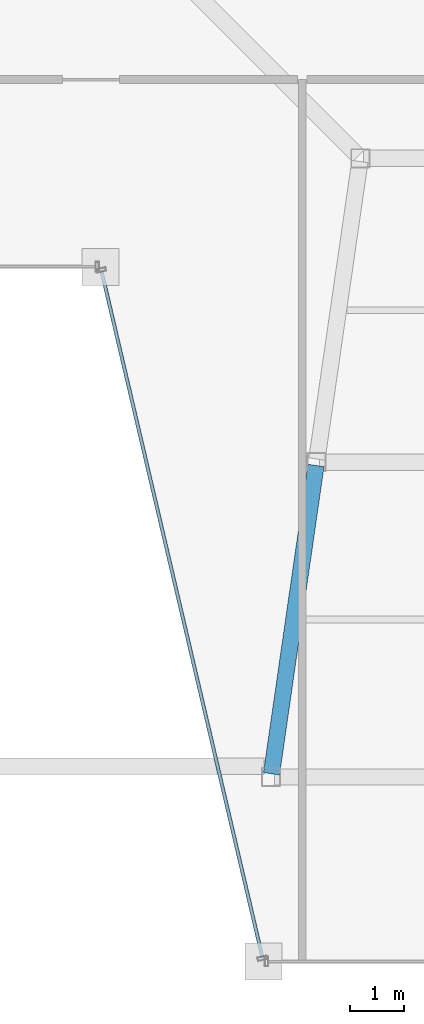
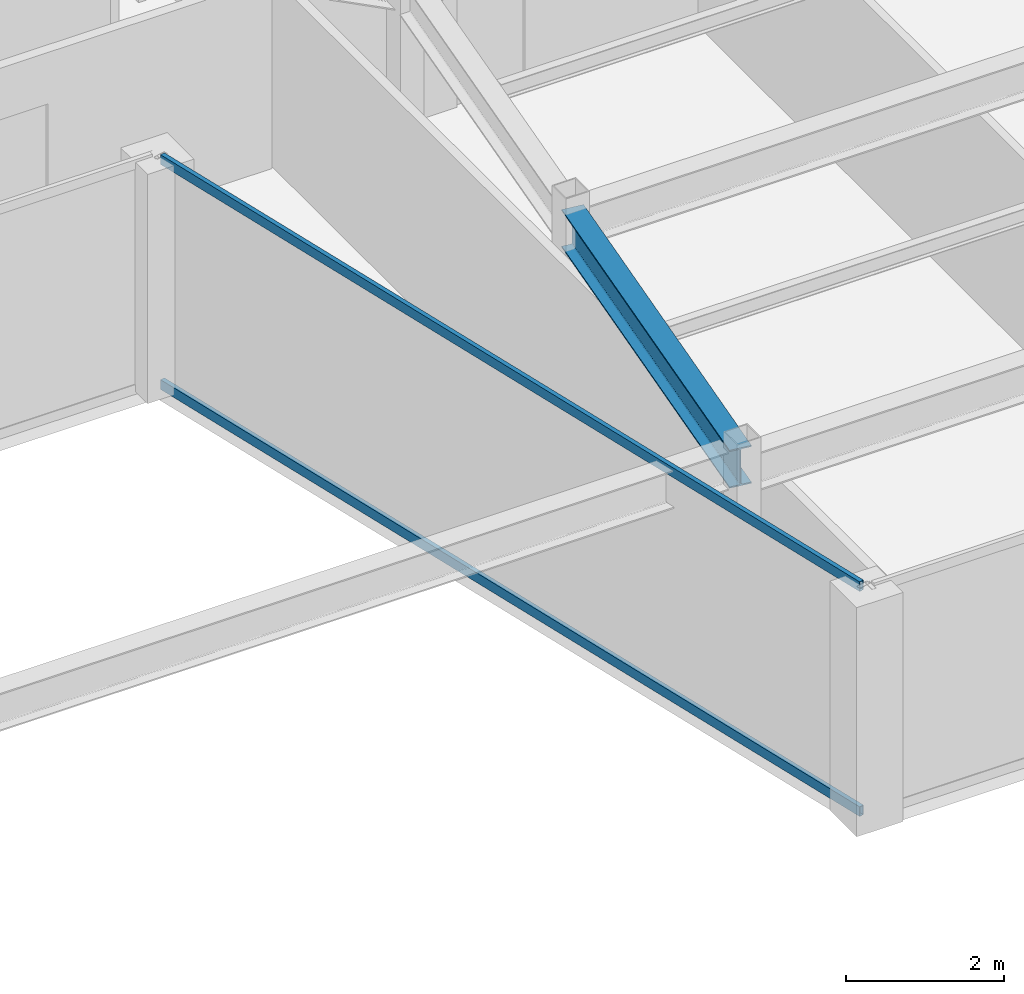
# One storey, part 13 of 32: 2 members, 1 beam, 1 element without a shape of its own.
"""IFC4 building model written with IfcOpenShell, lengths in metres."""

from ifc_helpers import new_model, si_unit, direction, frame, origin, origin_2d, place, context, subcontext, project, spatial, hollow_rectangle, i_section, extrude, material, material_profile, profile_set, type_object, element, aggregate, save


model = new_model("IFC4")

# Units and contexts
model_context = context("Model", 3, precision=1e-05, world=origin(), true_north=direction((0.0, 1.0)))
body_context = subcontext(model_context, "Body", "Model", "MODEL_VIEW")
ifc_project = project(units=[si_unit("LENGTHUNIT", "METRE"), si_unit("AREAUNIT", "SQUARE_METRE"), si_unit("VOLUMEUNIT", "CUBIC_METRE"), si_unit("PLANEANGLEUNIT", "RADIAN"), si_unit("MASSUNIT", "GRAM", prefix="KILO")], contexts=[model_context])

# Site, building, storey
site_placement = place(None, origin())
site = spatial("IfcSite", under=ifc_project, at=site_placement, CompositionType="ELEMENT")
building_placement = place(site_placement, origin())
building = spatial("IfcBuilding", under=site, at=building_placement, Name="Saevonmaru Cultural Tower", CompositionType="ELEMENT")
storey_placement = place(building_placement, frame((0.0, 0.0, 257.199951171875)))
storey = spatial("IfcBuildingStorey", under=building, at=storey_placement, Name="L60", CompositionType="ELEMENT", Elevation=257.199951171875)

# Beam
ifc_material_1 = material(Name="Steel SM355", Category="steel")
ifc_material_profile_1 = material_profile(ifc_material_1, i_section(OverallWidth=0.300048828125, OverallDepth=0.587890625, WebThickness=0.011962890625, FlangeThickness=0.02001953125, FilletRadius=0.02392578125, at=origin_2d()), Name="H-588x300x12x20")
ifc_profile_set_1 = profile_set([ifc_material_profile_1], Name="Steel SM355")
beam_type = type_object("IfcBeamType", Name="BM-G-H588", PredefinedType="BEAM", material=ifc_profile_set_1)
beam_placement = place(storey_placement, frame((39.5546875, 26.259521484375, 3.256103515625), z_axis=(0.142826510921, 0.989747739466, 0.0), x_axis=(-0.989747739466, 0.142826510921, 0.0)))
element("IfcBeam", 1, at=beam_placement, inside=storey, type_object=beam_type, Name="L60 East Atrium Girder 1", PredefinedType="BEAM", context=body_context, shape_type="SweptSolid", body=[
    extrude(i_section(OverallWidth=0.300048828125, OverallDepth=0.587890625, WebThickness=0.011962890625, FlangeThickness=0.02001953125, FilletRadius=0.02392578125, at=origin_2d()), origin(), (0.0, 0.0, 1.0), 5.739990234375),
])

# Curtain wall, members
ifc_material_2 = material(Name="Satin Bronze Anodised Aluminium", Category="aluminium")
curtain_wall_type = type_object("IfcCurtainWallType", Name="CW-TYP-B", PredefinedType="NOTDEFINED", material=ifc_material_2)
curtain_wall_placement = place(storey_placement, origin())
curtain_wall = element("IfcCurtainWall", 2, at=curtain_wall_placement, inside=storey, type_object=curtain_wall_type, Name="L60 Unitised Curtain Wall E5", PredefinedType="NOTDEFINED")
ifc_material_profile_2 = material_profile(ifc_material_2, hollow_rectangle(XDim=0.06494140625, YDim=0.14990234375, WallThickness=0.00390625, at=origin_2d()), Name="ALU-TRAN-150x65x4")
ifc_profile_set_2 = profile_set([ifc_material_profile_2], Name="Satin Bronze Anodised Aluminium")
member_type = type_object("IfcMemberType", Name="TR-CW-150x65", PredefinedType="USERDEFINED", material=ifc_profile_set_2)
member_1_placement = place(storey_placement, frame((36.425537109375, 35.510009765625, 0.032470703125), z_axis=(0.228189927903, -0.973616637493, 0.0), x_axis=(0.973616637493, 0.228189927903, 0.0)))
member_1 = element("IfcMember", 3, at=member_1_placement, type_object=member_type, Name="CW-TW-L60-E5 transom 1.1", ObjectType="TRANSOM", PredefinedType="USERDEFINED", context=body_context, shape_type="SweptSolid", body=[
    extrude(hollow_rectangle(XDim=0.06494140625, YDim=0.14990234375, WallThickness=0.00390625, at=origin_2d()), origin(), (0.0, 0.0, 1.0), 12.9619140625),
])
member_2_placement = place(storey_placement, frame((36.425537109375, 35.510009765625, 3.517578125), z_axis=(0.228189927903, -0.973616637493, 0.0), x_axis=(0.973616637493, 0.228189927903, 0.0)))
member_2 = element("IfcMember", 4, at=member_2_placement, type_object=member_type, Name="CW-TW-L60-E5 transom 1.2", ObjectType="TRANSOM", PredefinedType="USERDEFINED", context=body_context, shape_type="SweptSolid", body=[
    extrude(hollow_rectangle(XDim=0.06494140625, YDim=0.14990234375, WallThickness=0.00390625, at=origin_2d()), origin(), (0.0, 0.0, 1.0), 12.9619140625),
])
aggregate(curtain_wall, [member_1, member_2])

save(model, "model.ifc")
